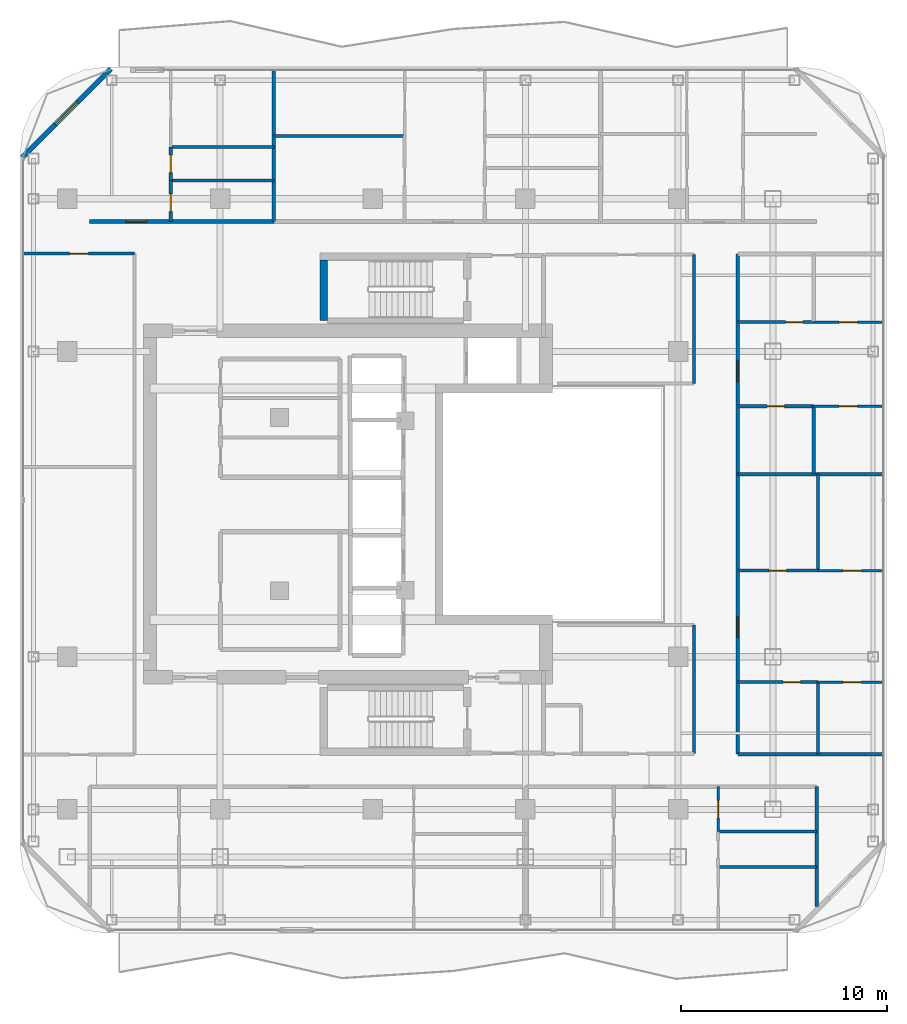
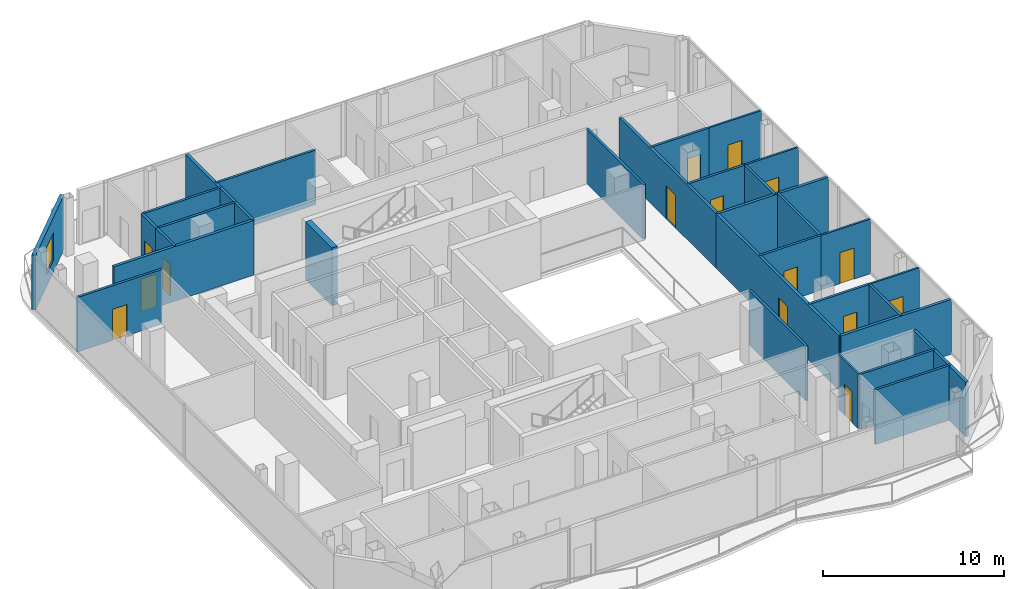
# One storey, part 18 of 23: 31 walls, 15 doors, 1 window, 16 openings.
"""IFC4 building model written with IfcOpenShell, lengths in metres."""

from ifc_helpers import new_model, si_unit, direction, frame, frame_2d, origin, place, context, subcontext, project, spatial, rectangle, extrude, material, layer, layer_set, type_object, element, fill, save


model = new_model("IFC4")

# Units and contexts
model_context = context("Model", 3, precision=1e-05, world=origin(), true_north=direction((0.0, 1.0)))
body_context = subcontext(model_context, "Body", "Model", "MODEL_VIEW")
ifc_project = project(units=[si_unit("LENGTHUNIT", "METRE"), si_unit("AREAUNIT", "SQUARE_METRE"), si_unit("VOLUMEUNIT", "CUBIC_METRE"), si_unit("PLANEANGLEUNIT", "RADIAN"), si_unit("MASSUNIT", "GRAM", prefix="KILO")], contexts=[model_context])

# Site, building, storey
site_placement = place(None, origin())
site = spatial("IfcSite", under=ifc_project, at=site_placement, CompositionType="ELEMENT")
building_placement = place(site_placement, origin())
building = spatial("IfcBuilding", under=site, at=building_placement, Name="Khorvyn Point Tower", CompositionType="ELEMENT")
storey_placement = place(building_placement, frame((0.0, 0.0, 258.60009765625)))
storey = spatial("IfcBuildingStorey", under=building, at=storey_placement, Name="L63", CompositionType="ELEMENT", Elevation=258.60009765625)

# Wall, opening, door
ifc_material_1 = material(Name="Double acoustic gypsum on twin steel stud", Category="steel")
ifc_layer_1 = layer(ifc_material_1, 0.179931640625)
ifc_layer_set_1 = layer_set([ifc_layer_1], Name="Acoustic Double-Stud Apartment Demising Wall 180")
wall_type_1 = type_object("IfcWallType", Name="Acoustic Double-Stud Apartment Demising Wall 180", PredefinedType="PARTITIONING", material=ifc_layer_set_1)
wall_1_placement = place(storey_placement, frame((-13.719970703125, 13.699951171875, 0.0), z_axis=(0.0, 0.0, 1.0), x_axis=(1.0, 0.0, 0.0)))
wall_1 = element("IfcWall", 1, at=wall_1_placement, inside=storey, type_object=wall_type_1, Name="Wall", PredefinedType="PARTITIONING", context=body_context, shape_type="SweptSolid", body=[
    extrude(rectangle(XDim=8.927001953125, YDim=0.179931640625, at=frame_2d((4.46337890625, 0.0))), origin(), (0.0, 0.0, 1.0), 3.679931640625),
])
opening_1_placement = place(wall_1_placement, frame((1.752197265625, 0.0, 0.0)))
opening_1 = element("IfcOpeningElement", 2, at=opening_1_placement, cuts=wall_1, Name="Opening ID-AP60", PredefinedType="OPENING", context=body_context, shape_type="SweptSolid", body=[
    extrude(rectangle(XDim=1.0, YDim=2.199951171875, at=frame_2d((0.5, 1.10009765625))), frame((0.0, 0.099853515625, 0.0), z_axis=(0.0, -1.0, 0.0), x_axis=(1.0, 0.0, 0.0)), (0.0, 0.0, 1.0), 0.199951171875),
])
ifc_material_2 = material(Name="Engineered hardwood fire-rated leaf", Category="wood")
door_type_1 = type_object("IfcDoorType", Name="Acoustic Solid-Core Timber Apartment Entrance Door 1000x2200", OperationType="NOTDEFINED", PredefinedType="DOOR", material=ifc_material_2)
door_1_placement = place(opening_1_placement, origin())
door_1 = element("IfcDoor", 3, at=door_1_placement, inside=storey, type_object=door_type_1, Name="Door", OperationType="SINGLE_SWING_LEFT", OverallHeight=2.199951171875, OverallWidth=1.0, PredefinedType="DOOR", context=body_context, shape_type="SweptSolid", body=[
    extrude(rectangle(XDim=1.0, YDim=2.199951171875, at=frame_2d((0.5, 1.10009765625))), frame((0.0, 0.02490234375, 0.0), z_axis=(0.0, -1.0, 0.0), x_axis=(1.0, 0.0, 0.0)), (0.0, 0.0, 1.0), 0.050048828125),
])
fill(opening_1, door_1)

wall_2_placement = place(storey_placement, frame((17.699951171875, -12.1201171875, 0.0), z_axis=(0.0, 0.0, 1.0), x_axis=(0.0, 1.0, 0.0)))
wall_2 = element("IfcWall", 4, at=wall_2_placement, inside=storey, type_object=wall_type_1, Name="Wall", PredefinedType="PARTITIONING", context=body_context, shape_type="SweptSolid", body=[
    extrude(rectangle(XDim=13.57421875, YDim=0.179931640625, at=frame_2d((6.787109375, 0.0))), origin(), (0.0, 0.0, 1.0), 3.679931640625),
])
opening_2_placement = place(wall_2_placement, frame((5.665283203125, 0.0, 0.0)))
opening_2 = element("IfcOpeningElement", 5, at=opening_2_placement, cuts=wall_2, Name="Opening ID-AP60", PredefinedType="OPENING", context=body_context, shape_type="SweptSolid", body=[
    extrude(rectangle(XDim=1.0, YDim=2.199951171875, at=frame_2d((0.5, 1.10009765625))), frame((0.0, 0.099853515625, 0.0), z_axis=(0.0, -1.0, 0.0), x_axis=(1.0, 0.0, 0.0)), (0.0, 0.0, 1.0), 0.199951171875),
])
door_2_placement = place(opening_2_placement, origin())
door_2 = element("IfcDoor", 6, at=door_2_placement, inside=storey, type_object=door_type_1, Name="Door", OperationType="SINGLE_SWING_LEFT", OverallHeight=2.199951171875, OverallWidth=1.0, PredefinedType="DOOR", context=body_context, shape_type="SweptSolid", body=[
    extrude(rectangle(XDim=1.0, YDim=2.199951171875, at=frame_2d((0.5, 1.10009765625))), frame((0.0, 0.02490234375, 0.0), z_axis=(0.0, -1.0, 0.0), x_axis=(1.0, 0.0, 0.0)), (0.0, 0.0, 1.0), 0.050048828125),
])
fill(opening_2, door_2)

wall_3_placement = place(storey_placement, frame((17.699951171875, 1.4541015625, 0.0), z_axis=(0.0, 0.0, 1.0), x_axis=(0.0, 1.0, 0.0)))
wall_3 = element("IfcWall", 7, at=wall_3_placement, inside=storey, type_object=wall_type_1, Name="Wall", PredefinedType="PARTITIONING", context=body_context, shape_type="SweptSolid", body=[
    extrude(rectangle(XDim=10.666015625, YDim=0.179931640625, at=frame_2d((5.3330078125, 0.0))), origin(), (0.0, 0.0, 1.0), 3.679931640625),
])
opening_3_placement = place(wall_3_placement, frame((4.473388671875, 0.0, 0.0)))
opening_3 = element("IfcOpeningElement", 8, at=opening_3_placement, cuts=wall_3, Name="Opening ID-AP60", PredefinedType="OPENING", context=body_context, shape_type="SweptSolid", body=[
    extrude(rectangle(XDim=1.0, YDim=2.199951171875, at=frame_2d((0.5, 1.10009765625))), frame((0.0, 0.099853515625, 0.0), z_axis=(0.0, -1.0, 0.0), x_axis=(1.0, 0.0, 0.0)), (0.0, 0.0, 1.0), 0.199951171875),
])
door_3_placement = place(opening_3_placement, origin())
door_3 = element("IfcDoor", 9, at=door_3_placement, inside=storey, type_object=door_type_1, Name="Door", OperationType="SINGLE_SWING_RIGHT", OverallHeight=2.199951171875, OverallWidth=1.0, PredefinedType="DOOR", context=body_context, shape_type="SweptSolid", body=[
    extrude(rectangle(XDim=1.0, YDim=2.199951171875, at=frame_2d((0.5, 1.10009765625))), frame((0.0, 0.02490234375, 0.0), z_axis=(0.0, -1.0, 0.0), x_axis=(1.0, 0.0, 0.0)), (0.0, 0.0, 1.0), 0.050048828125),
])
fill(opening_3, door_3)

# Walls
wall_4_placement = place(storey_placement, frame((-4.79296875, 13.699951171875, 0.0), z_axis=(0.0, 0.0, 1.0), x_axis=(0.0, 1.0, 0.0)))
element("IfcWall", 10, at=wall_4_placement, inside=storey, type_object=wall_type_1, Name="Wall", PredefinedType="PARTITIONING", context=body_context, shape_type="SweptSolid", body=[
    extrude(rectangle(XDim=7.330078125, YDim=0.179931640625, at=frame_2d((3.6650390625, 0.0))), origin(), (0.0, 0.0, 1.0), 3.679931640625),
])
wall_5_placement = place(storey_placement, frame((21.52001953125, -19.510009765625, 0.0), z_axis=(0.0, 0.0, 1.0), x_axis=(0.0, 1.0, 0.0)))
element("IfcWall", 11, at=wall_5_placement, inside=storey, type_object=wall_type_1, Name="Wall", PredefinedType="PARTITIONING", context=body_context, shape_type="SweptSolid", body=[
    extrude(rectangle(XDim=5.81005859375, YDim=0.179931640625, at=frame_2d((2.905029296875, 0.0))), origin(), (0.0, 0.0, 1.0), 3.679931640625),
])
for number, where, z_axis, x_axis, name in (
    (12, (17.699951171875, 1.4541015625, 0.0), (0.0, 0.0, 1.0), (1.0, 0.0, 0.0), "Wall"),
    (13, (17.699951171875, -12.1201171875, 0.0), (0.0, 0.0, 1.0), (1.0, 0.0, 0.0), "Wall"),
):
    element("IfcWall", number, at=place(storey_placement, frame(where, z_axis=z_axis, x_axis=x_axis)), inside=storey, type_object=wall_type_1, Name=name, PredefinedType="PARTITIONING", context=body_context, shape_type="SweptSolid", body=[
        extrude(rectangle(XDim=7.030029296875, YDim=0.179931640625, at=frame_2d((3.51513671875, 0.0))), origin(), (0.0, 0.0, 1.0), 3.679931640625),
    ])

# Wall, opening, window
ifc_material_3 = material(Name="Pale anodised aluminium rainscreen on steel stud", Category="steel")
ifc_layer_2 = layer(ifc_material_3, 0.239990234375)
ifc_layer_set_2 = layer_set([ifc_layer_2], Name="Anodised Aluminium Insulated Corner Spandrel Wall 240")
wall_type_2 = type_object("IfcWallType", Name="Anodised Aluminium Insulated Corner Spandrel Wall 240", PredefinedType="SOLIDWALL", material=ifc_layer_set_2)
wall_6_placement = place(storey_placement, frame((-16.992431640625, 16.8076171875, 0.0), z_axis=(0.0, 0.0, 1.0), x_axis=(0.707126925818, 0.707086635981, 0.0)))
wall_6 = element("IfcWall", 14, at=wall_6_placement, inside=storey, type_object=wall_type_2, Name="L63 Rounded Corner Wall NW", PredefinedType="SOLIDWALL", context=body_context, shape_type="SweptSolid", body=[
    extrude(rectangle(XDim=6.0595703125, YDim=0.239990234375, at=frame_2d((3.02978515625, 0.0))), origin(), (0.0, 0.0, 1.0), 3.679931640625),
])
opening_4_placement = place(wall_6_placement, frame((2.27978515625, 0.0, 0.800048828125)))
opening_4 = element("IfcOpeningElement", 15, at=opening_4_placement, cuts=wall_6, Name="Opening WN-1518", PredefinedType="OPENING", context=body_context, shape_type="SweptSolid", body=[
    extrude(rectangle(XDim=1.5, YDim=1.85009765625, at=frame_2d((0.75, 0.925048828125))), frame((0.0, 0.1298828125, 0.0), z_axis=(0.0, -1.0, 0.0), x_axis=(1.0, 0.0, 0.0)), (0.0, 0.0, 1.0), 0.260009765625),
])
ifc_material_4 = material(Name="Anodised aluminium 6063-T6 and laminated Low-E glass", Category="aluminium")
window_type = type_object("IfcWindowType", Name="Anodised Aluminium Rounded-Corner Panoramic Window 1500x1850", PartitioningType="SINGLE_PANEL", PredefinedType="WINDOW", material=ifc_material_4)
window_placement = place(opening_4_placement, origin())
window = element("IfcWindow", 16, at=window_placement, inside=storey, type_object=window_type, Name="L63 Corner Panoramic Window NW", OverallHeight=1.85009765625, OverallWidth=1.5, PartitioningType="SINGLE_PANEL", PredefinedType="WINDOW", context=body_context, shape_type="SweptSolid", body=[
    extrude(rectangle(XDim=1.5, YDim=1.85009765625, at=frame_2d((0.75, 0.925048828125))), frame((0.0, 0.030029296875, 0.0), z_axis=(0.0, -1.0, 0.0), x_axis=(1.0, 0.0, 0.0)), (0.0, 0.0, 1.0), 0.06005859375),
])
fill(opening_4, window)

# Wall
ifc_material_5 = material(Name="Concrete C40/50", Category="concrete")
ifc_layer_3 = layer(ifc_material_5, 0.35009765625)
ifc_layer_set_3 = layer_set([ifc_layer_3], Name="Concrete C40/50 Stair Shaft Structural Wall 350")
wall_type_3 = type_object("IfcWallType", Name="Concrete C40/50 Stair Shaft Structural Wall 350", PredefinedType="SHEAR", material=ifc_layer_set_3)
wall_7_placement = place(storey_placement, frame((-2.3798828125, 8.89990234375, 0.0), z_axis=(0.0, 0.0, 1.0), x_axis=(0.0, 1.0, 0.0)))
element("IfcWall", 17, at=wall_7_placement, inside=storey, type_object=wall_type_3, Name="L63 ST-02 West Shaft Wall", PredefinedType="SHEAR", context=body_context, shape_type="SweptSolid", body=[
    extrude(rectangle(XDim=2.925048828125, YDim=0.35009765625, at=frame_2d((1.46240234375, 0.0))), origin(), (0.0, 0.0, 1.0), 3.89990234375),
])

# Wall, opening, door
ifc_material_6 = material(Name="Gypsum plasterboard on steel stud", Category="steel")
ifc_layer_4 = layer(ifc_material_6, 0.1201171875)
ifc_layer_set_4 = layer_set([ifc_layer_4], Name="Gypsum Acoustic Stud Room Partition Wall 120")
wall_type_4 = type_object("IfcWallType", Name="Gypsum Acoustic Stud Room Partition Wall 120", PredefinedType="PARTITIONING", material=ifc_layer_set_4)
wall_8_placement = place(storey_placement, frame((16.738037109375, -15.8779296875, 0.0), z_axis=(0.0, 0.0, 1.0), x_axis=(0.0, 1.0, 0.0)))
wall_8 = element("IfcWall", 18, at=wall_8_placement, inside=storey, type_object=wall_type_4, Name="Wall", PredefinedType="PARTITIONING", context=body_context, shape_type="SweptSolid", body=[
    extrude(rectangle(XDim=2.177978515625, YDim=0.1201171875, at=frame_2d((1.0888671875, 0.0))), origin(), (0.0, 0.0, 1.0), 3.679931640625),
])
opening_5_placement = place(wall_8_placement, frame((0.6640625, 0.0, 0.0)))
opening_5 = element("IfcOpeningElement", 19, at=opening_5_placement, cuts=wall_8, Name="Opening ID-WC85", PredefinedType="OPENING", context=body_context, shape_type="SweptSolid", body=[
    extrude(rectangle(XDim=0.85009765625, YDim=2.10009765625, at=frame_2d((0.425048828125, 1.050048828125))), frame((0.0, 0.070068359375, 0.0), z_axis=(0.0, -1.0, 0.0), x_axis=(1.0, 0.0, 0.0)), (0.0, 0.0, 1.0), 0.14013671875),
])
ifc_material_7 = material(Name="High-pressure laminate on moisture-resistant core", Category="wood")
door_type_2 = type_object("IfcDoorType", Name="Moisture-Resistant Accessible Washroom Door 850x2100", OperationType="NOTDEFINED", PredefinedType="DOOR", material=ifc_material_7)
door_4_placement = place(opening_5_placement, origin())
door_4 = element("IfcDoor", 20, at=door_4_placement, inside=storey, type_object=door_type_2, Name="Door", OperationType="SINGLE_SWING_LEFT", OverallHeight=2.10009765625, OverallWidth=0.85009765625, PredefinedType="DOOR", context=body_context, shape_type="SweptSolid", body=[
    extrude(rectangle(XDim=0.85009765625, YDim=2.10009765625, at=frame_2d((0.425048828125, 1.050048828125))), frame((0.0, 0.02490234375, 0.0), z_axis=(0.0, -1.0, 0.0), x_axis=(1.0, 0.0, 0.0)), (0.0, 0.0, 1.0), 0.050048828125),
])
fill(opening_5, door_4)

wall_9_placement = place(storey_placement, frame((21.5791015625, -8.626953125, 0.0), z_axis=(0.0, 0.0, 1.0), x_axis=(1.0, 0.0, 0.0)))
wall_9 = element("IfcWall", 21, at=wall_9_placement, inside=storey, type_object=wall_type_4, Name="Wall", PredefinedType="PARTITIONING", context=body_context, shape_type="SweptSolid", body=[
    extrude(rectangle(XDim=3.15087890625, YDim=0.1201171875, at=frame_2d((1.575439453125, 0.0))), origin(), (0.0, 0.0, 1.0), 3.679931640625),
])
opening_6_placement = place(wall_9_placement, frame((1.21337890625, 0.0, 0.0)))
opening_6 = element("IfcOpeningElement", 22, at=opening_6_placement, cuts=wall_9, Name="Opening ID-RM90", PredefinedType="OPENING", context=body_context, shape_type="SweptSolid", body=[
    extrude(rectangle(XDim=0.89990234375, YDim=2.10009765625, at=frame_2d((0.449951171875, 1.050048828125))), frame((0.0, 0.070068359375, 0.0), z_axis=(0.0, -1.0, 0.0), x_axis=(1.0, 0.0, 0.0)), (0.0, 0.0, 1.0), 0.14013671875),
])
ifc_material_8 = material(Name="Engineered oak veneer timber", Category="wood")
door_type_3 = type_object("IfcDoorType", Name="Flush Engineered Timber Room Door 900x2100", OperationType="NOTDEFINED", PredefinedType="DOOR", material=ifc_material_8)
door_5_placement = place(opening_6_placement, origin())
door_5 = element("IfcDoor", 23, at=door_5_placement, inside=storey, type_object=door_type_3, Name="Door", OperationType="SINGLE_SWING_RIGHT", OverallHeight=2.10009765625, OverallWidth=0.89990234375, PredefinedType="DOOR", context=body_context, shape_type="SweptSolid", body=[
    extrude(rectangle(XDim=0.89990234375, YDim=2.10009765625, at=frame_2d((0.449951171875, 1.050048828125))), frame((0.0, 0.02490234375, 0.0), z_axis=(0.0, -1.0, 0.0), x_axis=(1.0, 0.0, 0.0)), (0.0, 0.0, 1.0), 0.050048828125),
])
fill(opening_6, door_5)

wall_10_placement = place(storey_placement, frame((21.5791015625, -3.222900390625, 0.0), z_axis=(0.0, 0.0, 1.0), x_axis=(1.0, 0.0, 0.0)))
wall_10 = element("IfcWall", 24, at=wall_10_placement, inside=storey, type_object=wall_type_4, Name="Wall", PredefinedType="PARTITIONING", context=body_context, shape_type="SweptSolid", body=[
    extrude(rectangle(XDim=3.15087890625, YDim=0.1201171875, at=frame_2d((1.575439453125, 0.0))), origin(), (0.0, 0.0, 1.0), 3.679931640625),
])
opening_7_placement = place(wall_10_placement, frame((1.21337890625, 0.0, 0.0)))
opening_7 = element("IfcOpeningElement", 25, at=opening_7_placement, cuts=wall_10, Name="Opening ID-RM90", PredefinedType="OPENING", context=body_context, shape_type="SweptSolid", body=[
    extrude(rectangle(XDim=0.89990234375, YDim=2.10009765625, at=frame_2d((0.449951171875, 1.050048828125))), frame((0.0, 0.070068359375, 0.0), z_axis=(0.0, -1.0, 0.0), x_axis=(1.0, 0.0, 0.0)), (0.0, 0.0, 1.0), 0.14013671875),
])
door_6_placement = place(opening_7_placement, origin())
door_6 = element("IfcDoor", 26, at=door_6_placement, inside=storey, type_object=door_type_3, Name="Door", OperationType="SINGLE_SWING_LEFT", OverallHeight=2.10009765625, OverallWidth=0.89990234375, PredefinedType="DOOR", context=body_context, shape_type="SweptSolid", body=[
    extrude(rectangle(XDim=0.89990234375, YDim=2.10009765625, at=frame_2d((0.449951171875, 1.050048828125))), frame((0.0, 0.02490234375, 0.0), z_axis=(0.0, -1.0, 0.0), x_axis=(1.0, 0.0, 0.0)), (0.0, 0.0, 1.0), 0.050048828125),
])
fill(opening_7, door_6)

wall_11_placement = place(storey_placement, frame((21.376953125, 4.74609375, 0.0), z_axis=(0.0, 0.0, 1.0), x_axis=(1.0, 0.0, 0.0)))
wall_11 = element("IfcWall", 27, at=wall_11_placement, inside=storey, type_object=wall_type_4, Name="Wall", PredefinedType="PARTITIONING", context=body_context, shape_type="SweptSolid", body=[
    extrude(rectangle(XDim=3.35302734375, YDim=0.1201171875, at=frame_2d((1.676513671875, 0.0))), origin(), (0.0, 0.0, 1.0), 3.679931640625),
])
opening_8_placement = place(wall_11_placement, frame((1.2265625, 0.0, 0.0)))
opening_8 = element("IfcOpeningElement", 28, at=opening_8_placement, cuts=wall_11, Name="Opening ID-RM90", PredefinedType="OPENING", context=body_context, shape_type="SweptSolid", body=[
    extrude(rectangle(XDim=0.89990234375, YDim=2.10009765625, at=frame_2d((0.449951171875, 1.050048828125))), frame((0.0, 0.070068359375, 0.0), z_axis=(0.0, -1.0, 0.0), x_axis=(1.0, 0.0, 0.0)), (0.0, 0.0, 1.0), 0.14013671875),
])
door_7_placement = place(opening_8_placement, origin())
door_7 = element("IfcDoor", 29, at=door_7_placement, inside=storey, type_object=door_type_3, Name="Door", OperationType="SINGLE_SWING_LEFT", OverallHeight=2.10009765625, OverallWidth=0.89990234375, PredefinedType="DOOR", context=body_context, shape_type="SweptSolid", body=[
    extrude(rectangle(XDim=0.89990234375, YDim=2.10009765625, at=frame_2d((0.449951171875, 1.050048828125))), frame((0.0, 0.02490234375, 0.0), z_axis=(0.0, -1.0, 0.0), x_axis=(1.0, 0.0, 0.0)), (0.0, 0.0, 1.0), 0.050048828125),
])
fill(opening_8, door_7)

wall_12_placement = place(storey_placement, frame((21.376953125, 8.827880859375, 0.0), z_axis=(0.0, 0.0, 1.0), x_axis=(1.0, 0.0, 0.0)))
wall_12 = element("IfcWall", 30, at=wall_12_placement, inside=storey, type_object=wall_type_4, Name="Wall", PredefinedType="PARTITIONING", context=body_context, shape_type="SweptSolid", body=[
    extrude(rectangle(XDim=3.35302734375, YDim=0.1201171875, at=frame_2d((1.676513671875, 0.0))), origin(), (0.0, 0.0, 1.0), 3.679931640625),
])
opening_9_placement = place(wall_12_placement, frame((1.2265625, 0.0, 0.0)))
opening_9 = element("IfcOpeningElement", 31, at=opening_9_placement, cuts=wall_12, Name="Opening ID-RM90", PredefinedType="OPENING", context=body_context, shape_type="SweptSolid", body=[
    extrude(rectangle(XDim=0.89990234375, YDim=2.10009765625, at=frame_2d((0.449951171875, 1.050048828125))), frame((0.0, 0.070068359375, 0.0), z_axis=(0.0, -1.0, 0.0), x_axis=(1.0, 0.0, 0.0)), (0.0, 0.0, 1.0), 0.14013671875),
])
door_8_placement = place(opening_9_placement, origin())
door_8 = element("IfcDoor", 32, at=door_8_placement, inside=storey, type_object=door_type_3, Name="Door", OperationType="SINGLE_SWING_RIGHT", OverallHeight=2.10009765625, OverallWidth=0.89990234375, PredefinedType="DOOR", context=body_context, shape_type="SweptSolid", body=[
    extrude(rectangle(XDim=0.89990234375, YDim=2.10009765625, at=frame_2d((0.449951171875, 1.050048828125))), frame((0.0, 0.02490234375, 0.0), z_axis=(0.0, -1.0, 0.0), x_axis=(1.0, 0.0, 0.0)), (0.0, 0.0, 1.0), 0.050048828125),
])
fill(opening_9, door_8)

ifc_material_9 = material(Name="Moisture-resistant gypsum and cement board", Category="gypsum")
ifc_layer_5 = layer(ifc_material_9, 0.14990234375)
ifc_layer_set_5 = layer_set([ifc_layer_5], Name="Moisture-Resistant Wet-Room Partition Wall 150")
wall_type_5 = type_object("IfcWallType", Name="Moisture-Resistant Wet-Room Partition Wall 150", PredefinedType="PARTITIONING", material=ifc_layer_set_5)
wall_13_placement = place(storey_placement, frame((-9.7919921875, 13.699951171875, 0.0), z_axis=(0.0, 0.0, 1.0), x_axis=(0.0, 1.0, 0.0)))
wall_13 = element("IfcWall", 33, at=wall_13_placement, inside=storey, type_object=wall_type_5, Name="Wall", PredefinedType="PARTITIONING", context=body_context, shape_type="SweptSolid", body=[
    extrude(rectangle(XDim=1.98193359375, YDim=0.14990234375, at=frame_2d((0.990966796875, 0.0))), origin(), (0.0, 0.0, 1.0), 3.679931640625),
])
opening_10_placement = place(wall_13_placement, frame((0.48486328125, 0.0, 0.0)))
opening_10 = element("IfcOpeningElement", 34, at=opening_10_placement, cuts=wall_13, Name="Opening ID-WC85", PredefinedType="OPENING", context=body_context, shape_type="SweptSolid", body=[
    extrude(rectangle(XDim=0.85009765625, YDim=2.10009765625, at=frame_2d((0.425048828125, 1.050048828125))), frame((0.0, 0.0849609375, 0.0), z_axis=(0.0, -1.0, 0.0), x_axis=(1.0, 0.0, 0.0)), (0.0, 0.0, 1.0), 0.169921875),
])
door_9_placement = place(opening_10_placement, origin())
door_9 = element("IfcDoor", 35, at=door_9_placement, inside=storey, type_object=door_type_2, Name="Door", OperationType="SINGLE_SWING_RIGHT", OverallHeight=2.10009765625, OverallWidth=0.85009765625, PredefinedType="DOOR", context=body_context, shape_type="SweptSolid", body=[
    extrude(rectangle(XDim=0.85009765625, YDim=2.10009765625, at=frame_2d((0.425048828125, 1.050048828125))), frame((0.0, 0.02490234375, 0.0), z_axis=(0.0, -1.0, 0.0), x_axis=(1.0, 0.0, 0.0)), (0.0, 0.0, 1.0), 0.050048828125),
])
fill(opening_10, door_9)

wall_14_placement = place(storey_placement, frame((-9.7919921875, 15.681884765625, 0.0), z_axis=(0.0, 0.0, 1.0), x_axis=(0.0, 1.0, 0.0)))
wall_14 = element("IfcWall", 36, at=wall_14_placement, inside=storey, type_object=wall_type_5, Name="Wall", PredefinedType="PARTITIONING", context=body_context, shape_type="SweptSolid", body=[
    extrude(rectangle(XDim=1.6220703125, YDim=0.14990234375, at=frame_2d((0.81103515625, 0.0))), origin(), (0.0, 0.0, 1.0), 3.679931640625),
])
opening_11_placement = place(wall_14_placement, frame((0.385986328125, 0.0, 0.0)))
opening_11 = element("IfcOpeningElement", 37, at=opening_11_placement, cuts=wall_14, Name="Opening ID-WC85", PredefinedType="OPENING", context=body_context, shape_type="SweptSolid", body=[
    extrude(rectangle(XDim=0.85009765625, YDim=2.10009765625, at=frame_2d((0.425048828125, 1.050048828125))), frame((0.0, 0.0849609375, 0.0), z_axis=(0.0, -1.0, 0.0), x_axis=(1.0, 0.0, 0.0)), (0.0, 0.0, 1.0), 0.169921875),
])
door_10_placement = place(opening_11_placement, origin())
door_10 = element("IfcDoor", 38, at=door_10_placement, inside=storey, type_object=door_type_2, Name="Door", OperationType="SINGLE_SWING_LEFT", OverallHeight=2.10009765625, OverallWidth=0.85009765625, PredefinedType="DOOR", context=body_context, shape_type="SweptSolid", body=[
    extrude(rectangle(XDim=0.85009765625, YDim=2.10009765625, at=frame_2d((0.425048828125, 1.050048828125))), frame((0.0, 0.02490234375, 0.0), z_axis=(0.0, -1.0, 0.0), x_axis=(1.0, 0.0, 0.0)), (0.0, 0.0, 1.0), 0.050048828125),
])
fill(opening_11, door_10)

wall_15_placement = place(storey_placement, frame((-16.929931640625, 12.139892578125, 0.0), z_axis=(0.0, 0.0, 1.0), x_axis=(1.0, 0.0, 0.0)))
wall_15 = element("IfcWall", 39, at=wall_15_placement, inside=storey, type_object=wall_type_5, Name="Wall", PredefinedType="PARTITIONING", context=body_context, shape_type="SweptSolid", body=[
    extrude(rectangle(XDim=5.3798828125, YDim=0.14990234375, at=frame_2d((2.68994140625, 0.0))), origin(), (0.0, 0.0, 1.0), 3.679931640625),
])
opening_12_placement = place(wall_15_placement, frame((2.239990234375, 0.0, 0.0)))
opening_12 = element("IfcOpeningElement", 40, at=opening_12_placement, cuts=wall_15, Name="Opening ID-RM90", PredefinedType="OPENING", context=body_context, shape_type="SweptSolid", body=[
    extrude(rectangle(XDim=0.89990234375, YDim=2.10009765625, at=frame_2d((0.449951171875, 1.050048828125))), frame((0.0, 0.0849609375, 0.0), z_axis=(0.0, -1.0, 0.0), x_axis=(1.0, 0.0, 0.0)), (0.0, 0.0, 1.0), 0.169921875),
])
door_11_placement = place(opening_12_placement, origin())
door_11 = element("IfcDoor", 41, at=door_11_placement, inside=storey, type_object=door_type_3, Name="Door", OperationType="SINGLE_SWING_RIGHT", OverallHeight=2.10009765625, OverallWidth=0.89990234375, PredefinedType="DOOR", context=body_context, shape_type="SweptSolid", body=[
    extrude(rectangle(XDim=0.89990234375, YDim=2.10009765625, at=frame_2d((0.449951171875, 1.050048828125))), frame((0.0, 0.02490234375, 0.0), z_axis=(0.0, -1.0, 0.0), x_axis=(1.0, 0.0, 0.0)), (0.0, 0.0, 1.0), 0.050048828125),
])
fill(opening_12, door_11)

wall_16_placement = place(storey_placement, frame((17.699951171875, -3.222900390625, 0.0), z_axis=(0.0, 0.0, 1.0), x_axis=(1.0, 0.0, 0.0)))
wall_16 = element("IfcWall", 42, at=wall_16_placement, inside=storey, type_object=wall_type_5, Name="Wall", PredefinedType="PARTITIONING", context=body_context, shape_type="SweptSolid", body=[
    extrude(rectangle(XDim=3.879150390625, YDim=0.14990234375, at=frame_2d((1.939453125, 0.0))), origin(), (0.0, 0.0, 1.0), 3.679931640625),
])
opening_13_placement = place(wall_16_placement, frame((1.514404296875, 0.0, 0.0)))
opening_13 = element("IfcOpeningElement", 43, at=opening_13_placement, cuts=wall_16, Name="Opening ID-WC85", PredefinedType="OPENING", context=body_context, shape_type="SweptSolid", body=[
    extrude(rectangle(XDim=0.85009765625, YDim=2.10009765625, at=frame_2d((0.425048828125, 1.050048828125))), frame((0.0, 0.0849609375, 0.0), z_axis=(0.0, -1.0, 0.0), x_axis=(1.0, 0.0, 0.0)), (0.0, 0.0, 1.0), 0.169921875),
])
door_12_placement = place(opening_13_placement, origin())
door_12 = element("IfcDoor", 44, at=door_12_placement, inside=storey, type_object=door_type_2, Name="Door", OperationType="SINGLE_SWING_RIGHT", OverallHeight=2.10009765625, OverallWidth=0.85009765625, PredefinedType="DOOR", context=body_context, shape_type="SweptSolid", body=[
    extrude(rectangle(XDim=0.85009765625, YDim=2.10009765625, at=frame_2d((0.425048828125, 1.050048828125))), frame((0.0, 0.02490234375, 0.0), z_axis=(0.0, -1.0, 0.0), x_axis=(1.0, 0.0, 0.0)), (0.0, 0.0, 1.0), 0.050048828125),
])
fill(opening_13, door_12)

wall_17_placement = place(storey_placement, frame((17.699951171875, -8.626953125, 0.0), z_axis=(0.0, 0.0, 1.0), x_axis=(1.0, 0.0, 0.0)))
wall_17 = element("IfcWall", 45, at=wall_17_placement, inside=storey, type_object=wall_type_5, Name="Wall", PredefinedType="PARTITIONING", context=body_context, shape_type="SweptSolid", body=[
    extrude(rectangle(XDim=3.879150390625, YDim=0.14990234375, at=frame_2d((1.939453125, 0.0))), origin(), (0.0, 0.0, 1.0), 3.679931640625),
])
opening_14_placement = place(wall_17_placement, frame((2.19189453125, 0.0, 0.0)))
opening_14 = element("IfcOpeningElement", 46, at=opening_14_placement, cuts=wall_17, Name="Opening ID-WC85", PredefinedType="OPENING", context=body_context, shape_type="SweptSolid", body=[
    extrude(rectangle(XDim=0.85009765625, YDim=2.10009765625, at=frame_2d((0.425048828125, 1.050048828125))), frame((0.0, 0.0849609375, 0.0), z_axis=(0.0, -1.0, 0.0), x_axis=(1.0, 0.0, 0.0)), (0.0, 0.0, 1.0), 0.169921875),
])
door_13_placement = place(opening_14_placement, origin())
door_13 = element("IfcDoor", 47, at=door_13_placement, inside=storey, type_object=door_type_2, Name="Door", OperationType="SINGLE_SWING_LEFT", OverallHeight=2.10009765625, OverallWidth=0.85009765625, PredefinedType="DOOR", context=body_context, shape_type="SweptSolid", body=[
    extrude(rectangle(XDim=0.85009765625, YDim=2.10009765625, at=frame_2d((0.425048828125, 1.050048828125))), frame((0.0, 0.02490234375, 0.0), z_axis=(0.0, -1.0, 0.0), x_axis=(1.0, 0.0, 0.0)), (0.0, 0.0, 1.0), 0.050048828125),
])
fill(opening_14, door_13)

wall_18_placement = place(storey_placement, frame((17.699951171875, 8.827880859375, 0.0), z_axis=(0.0, 0.0, 1.0), x_axis=(1.0, 0.0, 0.0)))
wall_18 = element("IfcWall", 48, at=wall_18_placement, inside=storey, type_object=wall_type_5, Name="Wall", PredefinedType="PARTITIONING", context=body_context, shape_type="SweptSolid", body=[
    extrude(rectangle(XDim=3.677001953125, YDim=0.14990234375, at=frame_2d((1.83837890625, 0.0))), origin(), (0.0, 0.0, 1.0), 3.679931640625),
])
opening_15_placement = place(wall_18_placement, frame((2.308837890625, 0.0, 0.0)))
opening_15 = element("IfcOpeningElement", 49, at=opening_15_placement, cuts=wall_18, Name="Opening ID-WC85", PredefinedType="OPENING", context=body_context, shape_type="SweptSolid", body=[
    extrude(rectangle(XDim=0.85009765625, YDim=2.10009765625, at=frame_2d((0.425048828125, 1.050048828125))), frame((0.0, 0.0849609375, 0.0), z_axis=(0.0, -1.0, 0.0), x_axis=(1.0, 0.0, 0.0)), (0.0, 0.0, 1.0), 0.169921875),
])
door_14_placement = place(opening_15_placement, origin())
door_14 = element("IfcDoor", 50, at=door_14_placement, inside=storey, type_object=door_type_2, Name="Door", OperationType="SINGLE_SWING_LEFT", OverallHeight=2.10009765625, OverallWidth=0.85009765625, PredefinedType="DOOR", context=body_context, shape_type="SweptSolid", body=[
    extrude(rectangle(XDim=0.85009765625, YDim=2.10009765625, at=frame_2d((0.425048828125, 1.050048828125))), frame((0.0, 0.02490234375, 0.0), z_axis=(0.0, -1.0, 0.0), x_axis=(1.0, 0.0, 0.0)), (0.0, 0.0, 1.0), 0.050048828125),
])
fill(opening_15, door_14)

wall_19_placement = place(storey_placement, frame((17.699951171875, 4.74609375, 0.0), z_axis=(0.0, 0.0, 1.0), x_axis=(1.0, 0.0, 0.0)))
wall_19 = element("IfcWall", 51, at=wall_19_placement, inside=storey, type_object=wall_type_5, Name="Wall", PredefinedType="PARTITIONING", context=body_context, shape_type="SweptSolid", body=[
    extrude(rectangle(XDim=3.677001953125, YDim=0.14990234375, at=frame_2d((1.83837890625, 0.0))), origin(), (0.0, 0.0, 1.0), 3.679931640625),
])
opening_16_placement = place(wall_19_placement, frame((1.41357421875, 0.0, 0.0)))
opening_16 = element("IfcOpeningElement", 52, at=opening_16_placement, cuts=wall_19, Name="Opening ID-WC85", PredefinedType="OPENING", context=body_context, shape_type="SweptSolid", body=[
    extrude(rectangle(XDim=0.85009765625, YDim=2.10009765625, at=frame_2d((0.425048828125, 1.050048828125))), frame((0.0, 0.0849609375, 0.0), z_axis=(0.0, -1.0, 0.0), x_axis=(1.0, 0.0, 0.0)), (0.0, 0.0, 1.0), 0.169921875),
])
door_15_placement = place(opening_16_placement, origin())
door_15 = element("IfcDoor", 53, at=door_15_placement, inside=storey, type_object=door_type_2, Name="Door", OperationType="SINGLE_SWING_RIGHT", OverallHeight=2.10009765625, OverallWidth=0.85009765625, PredefinedType="DOOR", context=body_context, shape_type="SweptSolid", body=[
    extrude(rectangle(XDim=0.85009765625, YDim=2.10009765625, at=frame_2d((0.425048828125, 1.050048828125))), frame((0.0, 0.02490234375, 0.0), z_axis=(0.0, -1.0, 0.0), x_axis=(1.0, 0.0, 0.0)), (0.0, 0.0, 1.0), 0.050048828125),
])
fill(opening_16, door_15)

# Walls
for number, where, z_axis, x_axis, name in (
    (54, (15.580078125, -12.10009765625, 0.0), (0.0, 0.0, 1.0), (0.0, 1.0, 0.0), "Wall"),
    (55, (15.580078125, 5.85009765625, 0.0), (0.0, 0.0, 1.0), (0.0, 1.0, 0.0), "Wall"),
):
    element("IfcWall", number, at=place(storey_placement, frame(where, z_axis=z_axis, x_axis=x_axis)), inside=storey, type_object=wall_type_5, Name=name, PredefinedType="PARTITIONING", context=body_context, shape_type="SweptSolid", body=[
        extrude(rectangle(XDim=6.25, YDim=0.14990234375, at=frame_2d((3.125, 0.0))), origin(), (0.0, 0.0, 1.0), 3.679931640625),
    ])
for number, where, z_axis, x_axis, name in (
    (56, (-9.7919921875, 15.681884765625, 0.0), (0.0, 0.0, 1.0), (1.0, 0.0, 0.0), "Wall"),
    (57, (-9.7919921875, 17.303955078125, 0.0), (0.0, 0.0, 1.0), (1.0, 0.0, 0.0), "Wall"),
):
    element("IfcWall", number, at=place(storey_placement, frame(where, z_axis=z_axis, x_axis=x_axis)), inside=storey, type_object=wall_type_5, Name=name, PredefinedType="PARTITIONING", context=body_context, shape_type="SweptSolid", body=[
        extrude(rectangle(XDim=4.9990234375, YDim=0.14990234375, at=frame_2d((2.49951171875, 0.0))), origin(), (0.0, 0.0, 1.0), 3.679931640625),
    ])
wall_20_placement = place(storey_placement, frame((-4.79296875, 17.846923828125, 0.0), z_axis=(0.0, 0.0, 1.0), x_axis=(1.0, 0.0, 0.0)))
element("IfcWall", 58, at=wall_20_placement, inside=storey, type_object=wall_type_5, Name="Wall", PredefinedType="PARTITIONING", context=body_context, shape_type="SweptSolid", body=[
    extrude(rectangle(XDim=6.333984375, YDim=0.14990234375, at=frame_2d((3.1669921875, 0.0))), origin(), (0.0, 0.0, 1.0), 3.679931640625),
])
for number, where, z_axis, x_axis, name in (
    (59, (16.738037109375, -15.8779296875, 0.0), (0.0, 0.0, 1.0), (1.0, 0.0, 0.0), "Wall"),
    (60, (16.738037109375, -17.590087890625, 0.0), (0.0, 0.0, 1.0), (1.0, 0.0, 0.0), "Wall"),
):
    element("IfcWall", number, at=place(storey_placement, frame(where, z_axis=z_axis, x_axis=x_axis)), inside=storey, type_object=wall_type_5, Name=name, PredefinedType="PARTITIONING", context=body_context, shape_type="SweptSolid", body=[
        extrude(rectangle(XDim=4.781982421875, YDim=0.14990234375, at=frame_2d((2.39111328125, 0.0))), origin(), (0.0, 0.0, 1.0), 3.679931640625),
    ])
wall_21_placement = place(storey_placement, frame((21.5791015625, -12.1201171875, 0.0), z_axis=(0.0, 0.0, 1.0), x_axis=(0.0, 1.0, 0.0)))
element("IfcWall", 61, at=wall_21_placement, inside=storey, type_object=wall_type_5, Name="Wall", PredefinedType="PARTITIONING", context=body_context, shape_type="SweptSolid", body=[
    extrude(rectangle(XDim=3.4931640625, YDim=0.14990234375, at=frame_2d((1.74658203125, 0.0))), origin(), (0.0, 0.0, 1.0), 3.679931640625),
])
wall_22_placement = place(storey_placement, frame((21.5791015625, -3.222900390625, 0.0), z_axis=(0.0, 0.0, 1.0), x_axis=(0.0, 1.0, 0.0)))
element("IfcWall", 62, at=wall_22_placement, inside=storey, type_object=wall_type_5, Name="Wall", PredefinedType="PARTITIONING", context=body_context, shape_type="SweptSolid", body=[
    extrude(rectangle(XDim=4.677001953125, YDim=0.14990234375, at=frame_2d((2.33837890625, 0.0))), origin(), (0.0, 0.0, 1.0), 3.679931640625),
])
wall_23_placement = place(storey_placement, frame((21.376953125, 1.4541015625, 0.0), z_axis=(0.0, 0.0, 1.0), x_axis=(0.0, 1.0, 0.0)))
element("IfcWall", 63, at=wall_23_placement, inside=storey, type_object=wall_type_5, Name="Wall", PredefinedType="PARTITIONING", context=body_context, shape_type="SweptSolid", body=[
    extrude(rectangle(XDim=3.2919921875, YDim=0.14990234375, at=frame_2d((1.64599609375, 0.0))), origin(), (0.0, 0.0, 1.0), 3.679931640625),
])

save(model, "model.ifc")
